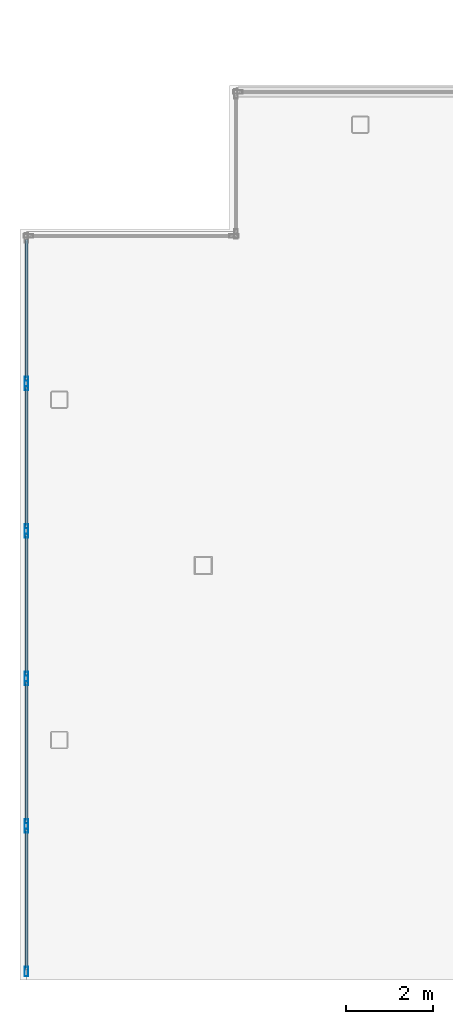
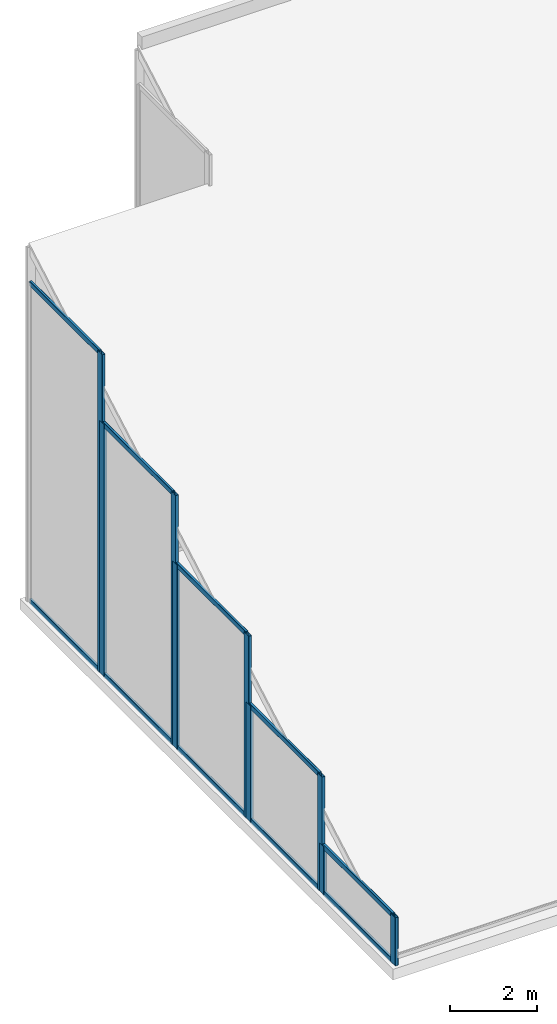
# One storey, part 2 of 11: 19 members, 5 elements without a shape of their own.
"""IFC4 building model written with IfcOpenShell, lengths in metres."""

import ifcopenshell
import ifcopenshell.guid

model = None  # the IFC model being written
_history = None  # IfcOwnerHistory: only IFC2X3 demands one
_inside = {}  # id of a spatial element -> (the spatial element, [elements in it])
_under = {}  # id of a project, library or spatial element -> (it, [spatial elements below it])
_declared = {}  # id of a project -> (the project, [libraries it declares])
_typed = {}  # id of a type object -> (the type object, [elements of that type])
_made_of = {}  # id of a material, layer set ... -> (it, [elements and type objects made of it])


def new_model(schema):
    """Start an empty IFC model of exactly this schema.

    Asked for "IFC4X3", IfcOpenShell would pick the latest addendum, in which some entities
    have other attributes; the version numbers below select the first issue.
    IFC2X3 requires an IfcOwnerHistory on every rooted entity: one is made here for all.
    """
    global model, _history
    if schema == "IFC4X3":
        model = ifcopenshell.file(schema_version=(4, 3, 0, 0))
    else:
        model = ifcopenshell.file(schema=schema)
    _inside.clear()
    _under.clear()
    _declared.clear()
    _typed.clear()
    _made_of.clear()
    _history = None
    if model.schema == "IFC2X3":
        org = make("IfcOrganization", Name="unknown")
        user = make(
            "IfcPersonAndOrganization",
            ThePerson=make("IfcPerson", FamilyName="unknown"),
            TheOrganization=org,
        )
        app = make(
            "IfcApplication",
            ApplicationDeveloper=org,
            Version="unknown",
            ApplicationFullName="unknown",
            ApplicationIdentifier="unknown",
        )
        _history = make(
            "IfcOwnerHistory",
            OwningUser=user,
            OwningApplication=app,
            ChangeAction="ADDED",
            CreationDate=0,
        )
    return model


def make(cls, **values):
    """One entity of the class cls with the attributes given. An attribute that is None is left unset."""
    return model.create_entity(
        cls, **{name: value for name, value in values.items() if value is not None}
    )


def rooted(cls, **values):
    """An entity with a GlobalId (a new one), such as an element, a storey or a relation."""
    return make(cls, GlobalId=ifcopenshell.guid.new(), OwnerHistory=_history, **values)


def si_unit(unit_type, name, prefix=None):
    """IfcSIUnit, for example si_unit("LENGTHUNIT", "METRE", prefix="MILLI")."""
    return make("IfcSIUnit", UnitType=unit_type, Prefix=prefix, Name=name)


def assignment(units):
    """IfcUnitAssignment: the units of a project."""
    return None if units is None else make("IfcUnitAssignment", Units=units)


def point(xyz):
    """IfcCartesianPoint."""
    return None if xyz is None else make("IfcCartesianPoint", Coordinates=xyz)


def direction(xyz):
    """IfcDirection."""
    return None if xyz is None else make("IfcDirection", DirectionRatios=xyz)


def frame(location, z_axis=None, x_axis=None):
    """IfcAxis2Placement3D, a coordinate frame: its origin and axes. An axis left out is left unset."""
    return make(
        "IfcAxis2Placement3D",
        Location=point(location),
        Axis=direction(z_axis),
        RefDirection=direction(x_axis),
    )


def frame_2d(location, x_axis=None):
    """IfcAxis2Placement2D, a coordinate frame in the plane: its origin and x axis."""
    return make(
        "IfcAxis2Placement2D", Location=point(location), RefDirection=direction(x_axis)
    )


def origin():
    """The frame at (0, 0, 0) with its axes left unset."""
    return frame((0.0, 0.0, 0.0))


def origin_2d():
    """The frame at (0, 0) in the plane with its x axis left unset."""
    return frame_2d((0.0, 0.0))


def place(relative_to, where):
    """IfcLocalPlacement: puts the frame where relative to a parent placement (None: the world)."""
    return make(
        "IfcLocalPlacement", PlacementRelTo=relative_to, RelativePlacement=where
    )


def context(
    kind, dimensions, precision=None, world=None, true_north=None, identifier=None
):
    """IfcGeometricRepresentationContext, for example the 3D "Model" context."""
    return make(
        "IfcGeometricRepresentationContext",
        ContextIdentifier=identifier,
        ContextType=kind,
        CoordinateSpaceDimension=dimensions,
        Precision=precision,
        WorldCoordinateSystem=world,
        TrueNorth=true_north,
    )


def subcontext(parent, identifier, kind, view, scale=None):
    """IfcGeometricRepresentationSubContext, for example "Body" below "Model"."""
    return make(
        "IfcGeometricRepresentationSubContext",
        ContextIdentifier=identifier,
        ContextType=kind,
        ParentContext=parent,
        TargetScale=scale,
        TargetView=view,
    )


def project(units=None, contexts=None):
    """IfcProject with its units and contexts."""
    return rooted(
        "IfcProject",
        Name="project",
        RepresentationContexts=contexts,
        UnitsInContext=assignment(units),
    )


def spatial(cls, under=None, at=None, **own):
    """A site, building, storey or space (cls), placed at a placement, below another one or the project."""
    s = rooted(cls, ObjectPlacement=at, **own)
    if under is not None:
        _under.setdefault(under.id(), (under, []))[1].append(s)
    return s


def profile(cls, at=None, kind="AREA", **sizes):
    """A parametric profile (cls). Its sizes go by their IFC names, for example OverallWidth=200.0."""
    return make(cls, ProfileType=kind, Position=at, **sizes)


def hollow_rectangle(**sizes):
    """IfcRectangleHollowProfileDef."""
    return profile("IfcRectangleHollowProfileDef", **sizes)


def extrude(swept, where, along, depth):
    """IfcExtrudedAreaSolid: the profile swept, set in the frame where, extruded along a direction by depth."""
    return make(
        "IfcExtrudedAreaSolid",
        SweptArea=swept,
        Position=where,
        ExtrudedDirection=direction(along),
        Depth=depth,
    )


def shape(context_of_items, identifier, shape_type, items):
    """IfcShapeRepresentation: the items that make up one representation, for example the "Body"."""
    return make(
        "IfcShapeRepresentation",
        ContextOfItems=context_of_items,
        RepresentationIdentifier=identifier,
        RepresentationType=shape_type,
        Items=items,
    )


def material(Name=None, Category=None):
    """IfcMaterial."""
    return make("IfcMaterial", Name=Name, Category=Category)


def layer(
    of_material, thickness, ventilated=None, Name=None, Category=None, Priority=None
):
    """IfcMaterialLayer: one layer of a wall or slab, of a material (None: an air gap)."""
    return make(
        "IfcMaterialLayer",
        Material=of_material,
        LayerThickness=thickness,
        IsVentilated=ventilated,
        Name=Name,
        Category=Category,
        Priority=Priority,
    )


def layer_set(layers, Name=None):
    """IfcMaterialLayerSet."""
    return make("IfcMaterialLayerSet", MaterialLayers=layers, LayerSetName=Name)


def material_profile(
    of_material, cross_section, Name=None, Category=None, Priority=None
):
    """IfcMaterialProfile: a cross section and its material."""
    return make(
        "IfcMaterialProfile",
        Name=Name,
        Material=of_material,
        Profile=cross_section,
        Priority=Priority,
        Category=Category,
    )


def profile_set(profiles, Name=None, composite=None):
    """IfcMaterialProfileSet."""
    return make(
        "IfcMaterialProfileSet",
        Name=Name,
        MaterialProfiles=profiles,
        CompositeProfile=composite,
    )


def made_of(thing, what):
    """Note that an element or type object is made of a material, layer set ...; save() writes the relation."""
    if what is not None:
        _made_of.setdefault(what.id(), (what, []))[1].append(thing)
    return thing


def type_object(cls, material=None, **own):
    """A type object (cls), such as IfcWallType, which elements share."""
    return made_of(rooted(cls, **own), material)


def element(
    cls,
    number,
    at=None,
    inside=None,
    cuts=None,
    type_object=None,
    material=None,
    context=None,
    identifier="Body",
    shape_type=None,
    held_by="IfcProductDefinitionShape",
    body=None,
    shapes=None,
    **own,
):
    """One element of the class cls, such as IfcWall. Its Tag is "e" and its number.

    at: its placement. inside: the storey or other place that contains it. cuts: it is an
    opening in that element (IfcRelVoidsElement). A single representation is given by context,
    identifier, shape_type and body (its items); several are given by shapes. held_by: the class
    of the entity that holds the representations. save() writes the other relations.
    """
    e = rooted(cls, Tag="e%d" % number, ObjectPlacement=at, **own)
    if body is not None:
        shapes = [shape(context, identifier, shape_type, body)]
    if shapes is not None:
        e.Representation = make(held_by, Representations=shapes)
    if inside is not None:
        _inside.setdefault(inside.id(), (inside, []))[1].append(e)
    if cuts is not None:
        rooted(
            "IfcRelVoidsElement", RelatingBuildingElement=cuts, RelatedOpeningElement=e
        )
    if type_object is not None:
        _typed.setdefault(type_object.id(), (type_object, []))[1].append(e)
    return made_of(e, material)


def aggregate(whole, parts):
    """IfcRelAggregates: a whole, such as a stair, and the parts it consists of."""
    return rooted("IfcRelAggregates", RelatingObject=whole, RelatedObjects=parts)


def save(model, path):
    """Write the relations noted so far, then the file.

    IfcRelAggregates (storeys below a building ...), IfcRelContainedInSpatialStructure (elements
    in a storey), IfcRelDefinesByType, IfcRelAssociatesMaterial and IfcRelDeclares: one each for
    every whole, place, type object, material and project.
    """
    for whole, parts in _under.values():
        aggregate(whole, parts)
    for where, things in _inside.values():
        rooted(
            "IfcRelContainedInSpatialStructure",
            RelatedElements=things,
            RelatingStructure=where,
        )
    for kind, things in _typed.values():
        rooted("IfcRelDefinesByType", RelatedObjects=things, RelatingType=kind)
    for what, things in _made_of.values():
        rooted("IfcRelAssociatesMaterial", RelatedObjects=things, RelatingMaterial=what)
    for by, libraries in _declared.values():
        rooted("IfcRelDeclares", RelatingContext=by, RelatedDefinitions=libraries)
    model.write(path)


model = new_model("IFC4")

# Units and contexts
model_context = context("Model", 3, precision=1e-05, world=origin(), true_north=direction((0.0, 1.0)))
body_context = subcontext(model_context, "Body", "Model", "MODEL_VIEW")
ifc_project = project(units=[si_unit("LENGTHUNIT", "METRE"), si_unit("AREAUNIT", "SQUARE_METRE"), si_unit("VOLUMEUNIT", "CUBIC_METRE"), si_unit("PLANEANGLEUNIT", "RADIAN"), si_unit("MASSUNIT", "GRAM", prefix="KILO")], contexts=[model_context])

# Site, building, storey
site_placement = place(None, origin())
site = spatial("IfcSite", under=ifc_project, at=site_placement, CompositionType="ELEMENT")
building_placement = place(site_placement, origin())
building = spatial("IfcBuilding", under=site, at=building_placement, Name="Tarnavaz Court Tower", CompositionType="ELEMENT")
storey_placement = place(building_placement, frame((0.0, 0.0, 304.050048828125)))
storey = spatial("IfcBuildingStorey", under=building, at=storey_placement, Name="C06", CompositionType="ELEMENT", Elevation=304.050048828125)

# Curtain wall, members
ifc_material_1 = material(Name="Anodised Aluminium 6063-T6 and Solar Low-E Glazing", Category="aluminium")
ifc_layer = layer(ifc_material_1, 0.2099609375)
ifc_layer_set = layer_set([ifc_layer], Name="Anodised Aluminium 6063-T6 and Solar Low-E Glazing")
curtain_wall_type = type_object("IfcCurtainWallType", Name="CW-SYS-06", PredefinedType="NOTDEFINED", material=ifc_layer_set)
curtain_wall_1_placement = place(storey_placement, origin())
curtain_wall_1 = element("IfcCurtainWall", 1, at=curtain_wall_1_placement, inside=storey, type_object=curtain_wall_type, Name="C06 Slanted Crown Terracotta Curtain Wall 15", PredefinedType="NOTDEFINED")
ifc_material_2 = material(Name="Anodised Aluminium 6063-T6", Category="aluminium")
ifc_material_profile_1 = material_profile(ifc_material_2, hollow_rectangle(XDim=0.0849609375, YDim=0.219970703125, WallThickness=0.006103515625, InnerFilletRadius=0.006103515625, OuterFilletRadius=0.011962890625, at=origin_2d()), Name="ALU RHS 220X85X6")
ifc_profile_set_1 = profile_set([ifc_material_profile_1], Name="Anodised Aluminium 6063-T6")
member_type_1 = type_object("IfcMemberType", Name="CW-MUL-220", PredefinedType="MULLION", material=ifc_profile_set_1)
member_1_placement = place(storey_placement, frame((-22.64990234375, 0.6923828125, 0.0), z_axis=(0.0, 0.0, 1.0), x_axis=(-1.0, 0.0, 0.0)))
member_1 = element("IfcMember", 2, at=member_1_placement, type_object=member_type_1, Name="CW mullion 1", PredefinedType="MULLION", context=body_context, shape_type="SweptSolid", body=[
    extrude(hollow_rectangle(XDim=0.0849609375, YDim=0.219970703125, WallThickness=0.006103515625, InnerFilletRadius=0.006103515625, OuterFilletRadius=0.011962890625, at=origin_2d()), origin(), (0.0, 0.0, 1.0), 1.3583984375),
])
member_2_placement = place(storey_placement, frame((-22.64990234375, 3.987548828125, 0.0), z_axis=(0.0, 0.0, 1.0), x_axis=(-1.0, 0.0, 0.0)))
member_2 = element("IfcMember", 3, at=member_2_placement, type_object=member_type_1, Name="CW mullion 2", PredefinedType="MULLION", context=body_context, shape_type="SweptSolid", body=[
    extrude(hollow_rectangle(XDim=0.0849609375, YDim=0.219970703125, WallThickness=0.006103515625, InnerFilletRadius=0.006103515625, OuterFilletRadius=0.011962890625, at=origin_2d()), origin(), (0.0, 0.0, 1.0), 1.3583984375),
])

curtain_wall_2_placement = place(storey_placement, origin())
curtain_wall_2 = element("IfcCurtainWall", 4, at=curtain_wall_2_placement, inside=storey, type_object=curtain_wall_type, Name="C06 Slanted Crown Terracotta Curtain Wall 16", PredefinedType="NOTDEFINED")
member_3_placement = place(storey_placement, frame((-22.64990234375, 4.072509765625, 0.0), z_axis=(0.0, 0.0, 1.0), x_axis=(-1.0, 0.0, 0.0)))
member_3 = element("IfcMember", 5, at=member_3_placement, type_object=member_type_1, Name="CW mullion 1", PredefinedType="MULLION", context=body_context, shape_type="SweptSolid", body=[
    extrude(hollow_rectangle(XDim=0.0849609375, YDim=0.219970703125, WallThickness=0.006103515625, InnerFilletRadius=0.006103515625, OuterFilletRadius=0.011962890625, at=origin_2d()), origin(), (0.0, 0.0, 1.0), 3.27001953125),
])
member_4_placement = place(storey_placement, frame((-22.64990234375, 7.367431640625, 0.0), z_axis=(0.0, 0.0, 1.0), x_axis=(-1.0, 0.0, 0.0)))
member_4 = element("IfcMember", 6, at=member_4_placement, type_object=member_type_1, Name="CW mullion 2", PredefinedType="MULLION", context=body_context, shape_type="SweptSolid", body=[
    extrude(hollow_rectangle(XDim=0.0849609375, YDim=0.219970703125, WallThickness=0.006103515625, InnerFilletRadius=0.006103515625, OuterFilletRadius=0.011962890625, at=origin_2d()), origin(), (0.0, 0.0, 1.0), 3.27001953125),
])

curtain_wall_3_placement = place(storey_placement, origin())
curtain_wall_3 = element("IfcCurtainWall", 7, at=curtain_wall_3_placement, inside=storey, type_object=curtain_wall_type, Name="C06 Slanted Crown Terracotta Curtain Wall 17", PredefinedType="NOTDEFINED")
member_5_placement = place(storey_placement, frame((-22.64990234375, 7.452392578125, 0.0), z_axis=(0.0, 0.0, 1.0), x_axis=(-1.0, 0.0, 0.0)))
member_5 = element("IfcMember", 8, at=member_5_placement, type_object=member_type_1, Name="CW mullion 1", PredefinedType="MULLION", context=body_context, shape_type="SweptSolid", body=[
    extrude(hollow_rectangle(XDim=0.0849609375, YDim=0.219970703125, WallThickness=0.006103515625, InnerFilletRadius=0.006103515625, OuterFilletRadius=0.011962890625, at=origin_2d()), origin(), (0.0, 0.0, 1.0), 5.181640625),
])
member_6_placement = place(storey_placement, frame((-22.64990234375, 10.74755859375, 0.0), z_axis=(0.0, 0.0, 1.0), x_axis=(-1.0, 0.0, 0.0)))
member_6 = element("IfcMember", 9, at=member_6_placement, type_object=member_type_1, Name="CW mullion 2", PredefinedType="MULLION", context=body_context, shape_type="SweptSolid", body=[
    extrude(hollow_rectangle(XDim=0.0849609375, YDim=0.219970703125, WallThickness=0.006103515625, InnerFilletRadius=0.006103515625, OuterFilletRadius=0.011962890625, at=origin_2d()), origin(), (0.0, 0.0, 1.0), 5.181640625),
])

curtain_wall_4_placement = place(storey_placement, origin())
curtain_wall_4 = element("IfcCurtainWall", 10, at=curtain_wall_4_placement, inside=storey, type_object=curtain_wall_type, Name="C06 Slanted Crown Terracotta Curtain Wall 18", PredefinedType="NOTDEFINED")
member_7_placement = place(storey_placement, frame((-22.64990234375, 10.83251953125, 0.0), z_axis=(0.0, 0.0, 1.0), x_axis=(-1.0, 0.0, 0.0)))
member_7 = element("IfcMember", 11, at=member_7_placement, type_object=member_type_1, Name="CW mullion 1", PredefinedType="MULLION", context=body_context, shape_type="SweptSolid", body=[
    extrude(hollow_rectangle(XDim=0.0849609375, YDim=0.219970703125, WallThickness=0.006103515625, InnerFilletRadius=0.006103515625, OuterFilletRadius=0.011962890625, at=origin_2d()), origin(), (0.0, 0.0, 1.0), 7.093017578125),
])
member_8_placement = place(storey_placement, frame((-22.64990234375, 14.12744140625, 0.0), z_axis=(0.0, 0.0, 1.0), x_axis=(-1.0, 0.0, 0.0)))
member_8 = element("IfcMember", 12, at=member_8_placement, type_object=member_type_1, Name="CW mullion 2", PredefinedType="MULLION", context=body_context, shape_type="SweptSolid", body=[
    extrude(hollow_rectangle(XDim=0.0849609375, YDim=0.219970703125, WallThickness=0.006103515625, InnerFilletRadius=0.006103515625, OuterFilletRadius=0.011962890625, at=origin_2d()), origin(), (0.0, 0.0, 1.0), 7.093017578125),
])

# Curtain wall, member
curtain_wall_5_placement = place(storey_placement, origin())
curtain_wall_5 = element("IfcCurtainWall", 13, at=curtain_wall_5_placement, inside=storey, type_object=curtain_wall_type, Name="C06 Slanted Crown Terracotta Curtain Wall 19", PredefinedType="NOTDEFINED")
member_9_placement = place(storey_placement, frame((-22.64990234375, 14.21240234375, 0.0), z_axis=(0.0, 0.0, 1.0), x_axis=(-1.0, 0.0, 0.0)))
member_9 = element("IfcMember", 14, at=member_9_placement, type_object=member_type_1, Name="CW mullion 1", PredefinedType="MULLION", context=body_context, shape_type="SweptSolid", body=[
    extrude(hollow_rectangle(XDim=0.0849609375, YDim=0.219970703125, WallThickness=0.006103515625, InnerFilletRadius=0.006103515625, OuterFilletRadius=0.011962890625, at=origin_2d()), origin(), (0.0, 0.0, 1.0), 9.004638671875),
])

# Member
ifc_material_profile_2 = material_profile(ifc_material_2, hollow_rectangle(XDim=0.06494140625, YDim=0.139892578125, WallThickness=0.00390625, InnerFilletRadius=0.00390625, OuterFilletRadius=0.008056640625, at=origin_2d()), Name="ALU RHS 140X65X4")
ifc_profile_set_2 = profile_set([ifc_material_profile_2], Name="Anodised Aluminium 6063-T6")
member_type_2 = type_object("IfcMemberType", Name="CW-TRN-140", PredefinedType="USERDEFINED", material=ifc_profile_set_2)
member_10_placement = place(storey_placement, frame((-22.64990234375, 0.735107421875, 0.032470703125), z_axis=(0.0, 1.0, 0.0), x_axis=(-1.0, 0.0, 0.0)))
member_10 = element("IfcMember", 15, at=member_10_placement, type_object=member_type_2, Name="CW transom 1.1", ObjectType="TRANSOM", PredefinedType="USERDEFINED", context=body_context, shape_type="SweptSolid", body=[
    extrude(hollow_rectangle(XDim=0.06494140625, YDim=0.139892578125, WallThickness=0.00390625, InnerFilletRadius=0.00390625, OuterFilletRadius=0.008056640625, at=origin_2d()), origin(), (0.0, 0.0, 1.0), 3.2099609375),
])

member_11_placement = place(storey_placement, frame((-22.64990234375, 0.735107421875, 1.325927734375), z_axis=(0.0, 1.0, 0.0), x_axis=(-1.0, 0.0, 0.0)))
member_11 = element("IfcMember", 16, at=member_11_placement, type_object=member_type_2, Name="CW transom 1.2", ObjectType="TRANSOM", PredefinedType="USERDEFINED", context=body_context, shape_type="SweptSolid", body=[
    extrude(hollow_rectangle(XDim=0.06494140625, YDim=0.139892578125, WallThickness=0.00390625, InnerFilletRadius=0.00390625, OuterFilletRadius=0.008056640625, at=origin_2d()), origin(), (0.0, 0.0, 1.0), 3.2099609375),
])

aggregate(curtain_wall_1, [member_1, member_2, member_10, member_11])

member_12_placement = place(storey_placement, frame((-22.64990234375, 4.114990234375, 0.032470703125), z_axis=(0.0, 1.0, 0.0), x_axis=(-1.0, 0.0, 0.0)))
member_12 = element("IfcMember", 17, at=member_12_placement, type_object=member_type_2, Name="CW transom 1.1", ObjectType="TRANSOM", PredefinedType="USERDEFINED", context=body_context, shape_type="SweptSolid", body=[
    extrude(hollow_rectangle(XDim=0.06494140625, YDim=0.139892578125, WallThickness=0.00390625, InnerFilletRadius=0.00390625, OuterFilletRadius=0.008056640625, at=origin_2d()), origin(), (0.0, 0.0, 1.0), 3.2099609375),
])

member_13_placement = place(storey_placement, frame((-22.64990234375, 4.114990234375, 3.237548828125), z_axis=(0.0, 1.0, 0.0), x_axis=(-1.0, 0.0, 0.0)))
member_13 = element("IfcMember", 18, at=member_13_placement, type_object=member_type_2, Name="CW transom 1.2", ObjectType="TRANSOM", PredefinedType="USERDEFINED", context=body_context, shape_type="SweptSolid", body=[
    extrude(hollow_rectangle(XDim=0.06494140625, YDim=0.139892578125, WallThickness=0.00390625, InnerFilletRadius=0.00390625, OuterFilletRadius=0.008056640625, at=origin_2d()), origin(), (0.0, 0.0, 1.0), 3.2099609375),
])

aggregate(curtain_wall_2, [member_3, member_4, member_12, member_13])

member_14_placement = place(storey_placement, frame((-22.64990234375, 7.4951171875, 0.032470703125), z_axis=(0.0, 1.0, 0.0), x_axis=(-1.0, 0.0, 0.0)))
member_14 = element("IfcMember", 19, at=member_14_placement, type_object=member_type_2, Name="CW transom 1.1", ObjectType="TRANSOM", PredefinedType="USERDEFINED", context=body_context, shape_type="SweptSolid", body=[
    extrude(hollow_rectangle(XDim=0.06494140625, YDim=0.139892578125, WallThickness=0.00390625, InnerFilletRadius=0.00390625, OuterFilletRadius=0.008056640625, at=origin_2d()), origin(), (0.0, 0.0, 1.0), 3.2099609375),
])

member_15_placement = place(storey_placement, frame((-22.64990234375, 7.4951171875, 5.149169921875), z_axis=(0.0, 1.0, 0.0), x_axis=(-1.0, 0.0, 0.0)))
member_15 = element("IfcMember", 20, at=member_15_placement, type_object=member_type_2, Name="CW transom 1.2", ObjectType="TRANSOM", PredefinedType="USERDEFINED", context=body_context, shape_type="SweptSolid", body=[
    extrude(hollow_rectangle(XDim=0.06494140625, YDim=0.139892578125, WallThickness=0.00390625, InnerFilletRadius=0.00390625, OuterFilletRadius=0.008056640625, at=origin_2d()), origin(), (0.0, 0.0, 1.0), 3.2099609375),
])

aggregate(curtain_wall_3, [member_5, member_6, member_14, member_15])

member_16_placement = place(storey_placement, frame((-22.64990234375, 10.875, 0.032470703125), z_axis=(0.0, 1.0, 0.0), x_axis=(-1.0, 0.0, 0.0)))
member_16 = element("IfcMember", 21, at=member_16_placement, type_object=member_type_2, Name="CW transom 1.1", ObjectType="TRANSOM", PredefinedType="USERDEFINED", context=body_context, shape_type="SweptSolid", body=[
    extrude(hollow_rectangle(XDim=0.06494140625, YDim=0.139892578125, WallThickness=0.00390625, InnerFilletRadius=0.00390625, OuterFilletRadius=0.008056640625, at=origin_2d()), origin(), (0.0, 0.0, 1.0), 3.2099609375),
])

member_17_placement = place(storey_placement, frame((-22.64990234375, 10.875, 7.060546875), z_axis=(0.0, 1.0, 0.0), x_axis=(-1.0, 0.0, 0.0)))
member_17 = element("IfcMember", 22, at=member_17_placement, type_object=member_type_2, Name="CW transom 1.2", ObjectType="TRANSOM", PredefinedType="USERDEFINED", context=body_context, shape_type="SweptSolid", body=[
    extrude(hollow_rectangle(XDim=0.06494140625, YDim=0.139892578125, WallThickness=0.00390625, InnerFilletRadius=0.00390625, OuterFilletRadius=0.008056640625, at=origin_2d()), origin(), (0.0, 0.0, 1.0), 3.2099609375),
])

aggregate(curtain_wall_4, [member_7, member_8, member_16, member_17])

member_18_placement = place(storey_placement, frame((-22.64990234375, 14.2548828125, 0.032470703125), z_axis=(0.0, 1.0, 0.0), x_axis=(-1.0, 0.0, 0.0)))
member_18 = element("IfcMember", 23, at=member_18_placement, type_object=member_type_2, Name="CW transom 1.1", ObjectType="TRANSOM", PredefinedType="USERDEFINED", context=body_context, shape_type="SweptSolid", body=[
    extrude(hollow_rectangle(XDim=0.06494140625, YDim=0.139892578125, WallThickness=0.00390625, InnerFilletRadius=0.00390625, OuterFilletRadius=0.008056640625, at=origin_2d()), origin(), (0.0, 0.0, 1.0), 3.210205078125),
])

member_19_placement = place(storey_placement, frame((-22.64990234375, 14.2548828125, 8.97216796875), z_axis=(0.0, 1.0, 0.0), x_axis=(-1.0, 0.0, 0.0)))
member_19 = element("IfcMember", 24, at=member_19_placement, type_object=member_type_2, Name="CW transom 1.2", ObjectType="TRANSOM", PredefinedType="USERDEFINED", context=body_context, shape_type="SweptSolid", body=[
    extrude(hollow_rectangle(XDim=0.06494140625, YDim=0.139892578125, WallThickness=0.00390625, InnerFilletRadius=0.00390625, OuterFilletRadius=0.008056640625, at=origin_2d()), origin(), (0.0, 0.0, 1.0), 3.210205078125),
])

aggregate(curtain_wall_5, [member_9, member_18, member_19])

save(model, "model.ifc")
